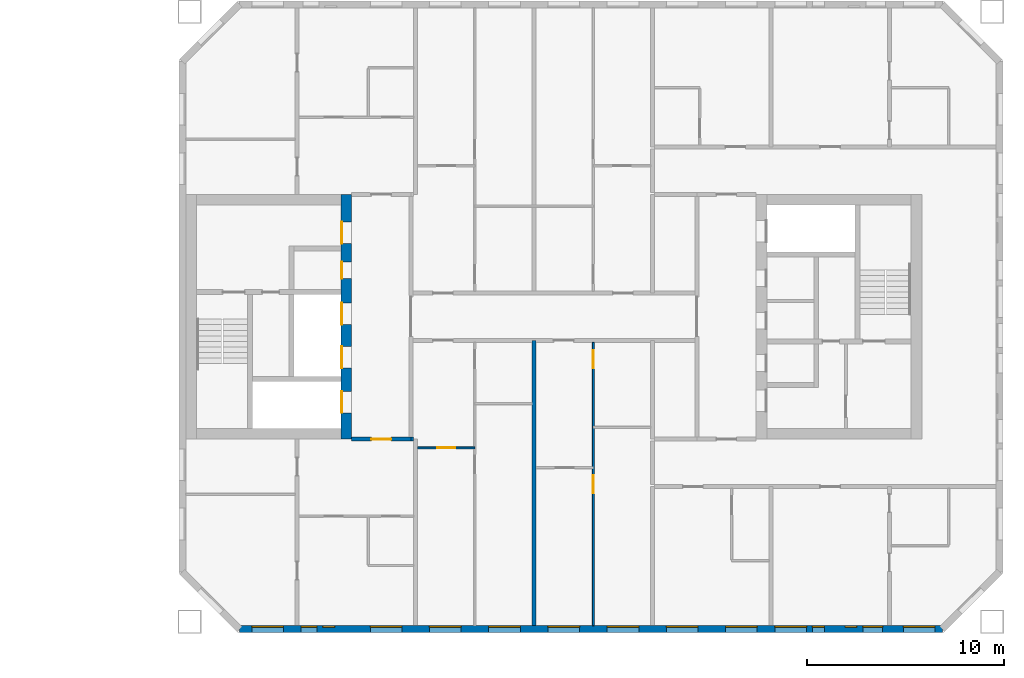
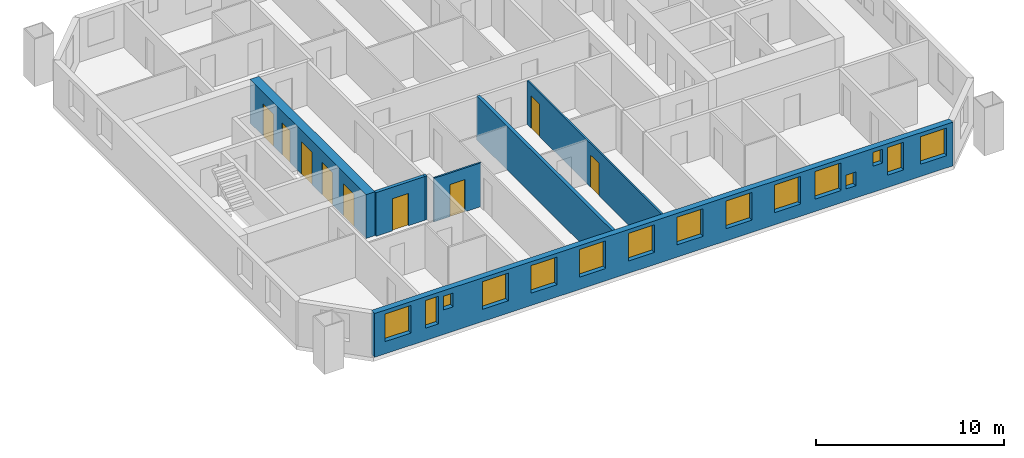
# One storey, part 10 of 17: 15 windows, 9 doors, 7 walls, 24 openings.
"""IFC4 building model written with IfcOpenShell, lengths in metres."""

from ifc_helpers import new_model, si_unit, direction, frame, frame_2d, origin, place, context, subcontext, project, spatial, rectangle, extrude, material, layer, layer_set, type_object, element, fill, save


model = new_model("IFC4")

# Units and contexts
model_context = context("Model", 3, precision=1e-05, world=origin(), true_north=direction((0.0, 1.0)))
body_context = subcontext(model_context, "Body", "Model", "MODEL_VIEW")
ifc_project = project(units=[si_unit("LENGTHUNIT", "METRE"), si_unit("AREAUNIT", "SQUARE_METRE"), si_unit("VOLUMEUNIT", "CUBIC_METRE"), si_unit("PLANEANGLEUNIT", "RADIAN"), si_unit("MASSUNIT", "GRAM", prefix="KILO")], contexts=[model_context])

# Site, building, storey
site_placement = place(None, origin())
site = spatial("IfcSite", under=ifc_project, at=site_placement, CompositionType="ELEMENT")
building_placement = place(site_placement, origin())
building = spatial("IfcBuilding", under=site, at=building_placement, Name="Tuart Gate Housing", CompositionType="ELEMENT")
storey_placement = place(building_placement, frame((0.0, 0.0, 126.800048828125)))
storey = spatial("IfcBuildingStorey", under=building, at=storey_placement, Name="L35", CompositionType="ELEMENT", Elevation=126.800048828125)

# Wall, openings, windows
ifc_material_1 = material(Name="Brick", Category="masonry")
ifc_layer_1 = layer(ifc_material_1, 0.360107421875)
ifc_layer_set_1 = layer_set([ifc_layer_1], Name="Brick pier and spandrel wall 360")
wall_type_1 = type_object("IfcWallType", Name="Brick pier and spandrel wall 360", PredefinedType="STANDARD", material=ifc_layer_set_1)
wall_1_placement = place(storey_placement, frame((134.07470703125, 54.179931640625, 0.0), z_axis=(0.0, 0.0, 1.0), x_axis=(1.0, 0.0, 0.0)))
wall_1 = element("IfcWall", 1, at=wall_1_placement, inside=storey, type_object=wall_type_1, Name="External wall B-S L35", PredefinedType="STANDARD", context=body_context, shape_type="SweptSolid", body=[
    extrude(rectangle(XDim=35.600830078125, YDim=0.360107421875, at=frame_2d((17.80029296875, 0.0))), origin(), (0.0, 0.0, 1.0), 2.849853515625),
])
opening_1_placement = place(wall_1_placement, frame((0.62548828125, 0.0, 0.800048828125)))
opening_1 = element("IfcOpeningElement", 2, at=opening_1_placement, cuts=wall_1, Name="Opening W1", PredefinedType="OPENING", context=body_context, shape_type="SweptSolid", body=[
    extrude(rectangle(XDim=1.60009765625, YDim=1.800048828125, at=frame_2d((0.800048828125, 0.89990234375))), frame((0.0, 0.18994140625, 0.0), z_axis=(0.0, -1.0, 0.0), x_axis=(1.0, 0.0, 0.0)), (0.0, 0.0, 1.0), 0.380126953125),
])
opening_2_placement = place(wall_1_placement, frame((3.12548828125, 0.0, 0.800048828125)))
opening_2 = element("IfcOpeningElement", 3, at=opening_2_placement, cuts=wall_1, Name="Opening W1D", PredefinedType="OPENING", context=body_context, shape_type="SweptSolid", body=[
    extrude(rectangle(XDim=0.800048828125, YDim=1.800048828125, at=frame_2d((0.39990234375, 0.89990234375))), frame((0.0, 0.18994140625, 0.0), z_axis=(0.0, -1.0, 0.0), x_axis=(1.0, 0.0, 0.0)), (0.0, 0.0, 1.0), 0.380126953125),
])
opening_3_placement = place(wall_1_placement, frame((6.62548828125, 0.0, 0.800048828125)))
opening_3 = element("IfcOpeningElement", 4, at=opening_3_placement, cuts=wall_1, Name="Opening W1", PredefinedType="OPENING", context=body_context, shape_type="SweptSolid", body=[
    extrude(rectangle(XDim=1.60009765625, YDim=1.800048828125, at=frame_2d((0.800048828125, 0.89990234375))), frame((0.0, 0.18994140625, 0.0), z_axis=(0.0, -1.0, 0.0), x_axis=(1.0, 0.0, 0.0)), (0.0, 0.0, 1.0), 0.380126953125),
])
opening_4_placement = place(wall_1_placement, frame((9.62548828125, 0.0, 0.800048828125)))
opening_4 = element("IfcOpeningElement", 5, at=opening_4_placement, cuts=wall_1, Name="Opening W1", PredefinedType="OPENING", context=body_context, shape_type="SweptSolid", body=[
    extrude(rectangle(XDim=1.60009765625, YDim=1.800048828125, at=frame_2d((0.800048828125, 0.89990234375))), frame((0.0, 0.18994140625, 0.0), z_axis=(0.0, -1.0, 0.0), x_axis=(1.0, 0.0, 0.0)), (0.0, 0.0, 1.0), 0.380126953125),
])
opening_5_placement = place(wall_1_placement, frame((12.62548828125, 0.0, 0.800048828125)))
opening_5 = element("IfcOpeningElement", 6, at=opening_5_placement, cuts=wall_1, Name="Opening W1", PredefinedType="OPENING", context=body_context, shape_type="SweptSolid", body=[
    extrude(rectangle(XDim=1.60009765625, YDim=1.800048828125, at=frame_2d((0.800048828125, 0.89990234375))), frame((0.0, 0.18994140625, 0.0), z_axis=(0.0, -1.0, 0.0), x_axis=(1.0, 0.0, 0.0)), (0.0, 0.0, 1.0), 0.380126953125),
])
opening_6_placement = place(wall_1_placement, frame((15.62548828125, 0.0, 0.800048828125)))
opening_6 = element("IfcOpeningElement", 7, at=opening_6_placement, cuts=wall_1, Name="Opening W1", PredefinedType="OPENING", context=body_context, shape_type="SweptSolid", body=[
    extrude(rectangle(XDim=1.60009765625, YDim=1.800048828125, at=frame_2d((0.800048828125, 0.89990234375))), frame((0.0, 0.18994140625, 0.0), z_axis=(0.0, -1.0, 0.0), x_axis=(1.0, 0.0, 0.0)), (0.0, 0.0, 1.0), 0.380126953125),
])
opening_7_placement = place(wall_1_placement, frame((18.62548828125, 0.0, 0.800048828125)))
opening_7 = element("IfcOpeningElement", 8, at=opening_7_placement, cuts=wall_1, Name="Opening W1", PredefinedType="OPENING", context=body_context, shape_type="SweptSolid", body=[
    extrude(rectangle(XDim=1.60009765625, YDim=1.800048828125, at=frame_2d((0.800048828125, 0.89990234375))), frame((0.0, 0.18994140625, 0.0), z_axis=(0.0, -1.0, 0.0), x_axis=(1.0, 0.0, 0.0)), (0.0, 0.0, 1.0), 0.380126953125),
])
opening_8_placement = place(wall_1_placement, frame((21.62548828125, 0.0, 0.800048828125)))
opening_8 = element("IfcOpeningElement", 9, at=opening_8_placement, cuts=wall_1, Name="Opening W1", PredefinedType="OPENING", context=body_context, shape_type="SweptSolid", body=[
    extrude(rectangle(XDim=1.60009765625, YDim=1.800048828125, at=frame_2d((0.800048828125, 0.89990234375))), frame((0.0, 0.18994140625, 0.0), z_axis=(0.0, -1.0, 0.0), x_axis=(1.0, 0.0, 0.0)), (0.0, 0.0, 1.0), 0.380126953125),
])
opening_9_placement = place(wall_1_placement, frame((24.62548828125, 0.0, 0.800048828125)))
opening_9 = element("IfcOpeningElement", 10, at=opening_9_placement, cuts=wall_1, Name="Opening W1", PredefinedType="OPENING", context=body_context, shape_type="SweptSolid", body=[
    extrude(rectangle(XDim=1.60009765625, YDim=1.800048828125, at=frame_2d((0.800048828125, 0.89990234375))), frame((0.0, 0.18994140625, 0.0), z_axis=(0.0, -1.0, 0.0), x_axis=(1.0, 0.0, 0.0)), (0.0, 0.0, 1.0), 0.380126953125),
])
opening_10_placement = place(wall_1_placement, frame((27.12548828125, 0.0, 0.800048828125)))
opening_10 = element("IfcOpeningElement", 11, at=opening_10_placement, cuts=wall_1, Name="Opening W1", PredefinedType="OPENING", context=body_context, shape_type="SweptSolid", body=[
    extrude(rectangle(XDim=1.60009765625, YDim=1.800048828125, at=frame_2d((0.800048828125, 0.89990234375))), frame((0.0, 0.18994140625, 0.0), z_axis=(0.0, -1.0, 0.0), x_axis=(1.0, 0.0, 0.0)), (0.0, 0.0, 1.0), 0.380126953125),
])
opening_11_placement = place(wall_1_placement, frame((29.025390625, 0.0, 0.800048828125)))
opening_11 = element("IfcOpeningElement", 12, at=opening_11_placement, cuts=wall_1, Name="Opening W1W", PredefinedType="OPENING", context=body_context, shape_type="SweptSolid", body=[
    extrude(rectangle(XDim=0.60009765625, YDim=0.89990234375, at=frame_2d((0.300048828125, 0.449951171875))), frame((0.0, 0.18994140625, 0.0), z_axis=(0.0, -1.0, 0.0), x_axis=(1.0, 0.0, 0.0)), (0.0, 0.0, 1.0), 0.380126953125),
])
opening_12_placement = place(wall_1_placement, frame((33.62548828125, 0.0, 0.800048828125)))
opening_12 = element("IfcOpeningElement", 13, at=opening_12_placement, cuts=wall_1, Name="Opening W1", PredefinedType="OPENING", context=body_context, shape_type="SweptSolid", body=[
    extrude(rectangle(XDim=1.60009765625, YDim=1.800048828125, at=frame_2d((0.800048828125, 0.89990234375))), frame((0.0, 0.18994140625, 0.0), z_axis=(0.0, -1.0, 0.0), x_axis=(1.0, 0.0, 0.0)), (0.0, 0.0, 1.0), 0.380126953125),
])
opening_13_placement = place(wall_1_placement, frame((4.225341796875, 0.0, 1.60009765625)))
opening_13 = element("IfcOpeningElement", 14, at=opening_13_placement, cuts=wall_1, Name="Opening W1W", PredefinedType="OPENING", context=body_context, shape_type="SweptSolid", body=[
    extrude(rectangle(XDim=0.60009765625, YDim=0.89990234375, at=frame_2d((0.300048828125, 0.449951171875))), frame((0.0, 0.18994140625, 0.0), z_axis=(0.0, -1.0, 0.0), x_axis=(1.0, 0.0, 0.0)), (0.0, 0.0, 1.0), 0.380126953125),
])
opening_14_placement = place(wall_1_placement, frame((30.67529296875, 0.0, 1.699951171875)))
opening_14 = element("IfcOpeningElement", 15, at=opening_14_placement, cuts=wall_1, Name="Opening W1W", PredefinedType="OPENING", context=body_context, shape_type="SweptSolid", body=[
    extrude(rectangle(XDim=0.60009765625, YDim=0.89990234375, at=frame_2d((0.300048828125, 0.449951171875))), frame((0.0, 0.18994140625, 0.0), z_axis=(0.0, -1.0, 0.0), x_axis=(1.0, 0.0, 0.0)), (0.0, 0.0, 1.0), 0.380126953125),
])
opening_15_placement = place(wall_1_placement, frame((31.575439453125, 0.0, 0.800048828125)))
opening_15 = element("IfcOpeningElement", 16, at=opening_15_placement, cuts=wall_1, Name="Opening W1C", PredefinedType="OPENING", context=body_context, shape_type="SweptSolid", body=[
    extrude(rectangle(XDim=1.0, YDim=1.800048828125, at=frame_2d((0.5, 0.89990234375))), frame((0.0, 0.18994140625, 0.0), z_axis=(0.0, -1.0, 0.0), x_axis=(1.0, 0.0, 0.0)), (0.0, 0.0, 1.0), 0.380126953125),
])
ifc_material_2 = material(Name="Aluminium frame with clear glass", Category="aluminium")
window_type_1 = type_object("IfcWindowType", Name="Punched window 1000 x 1800", PartitioningType="SINGLE_PANEL", PredefinedType="WINDOW", material=ifc_material_2)
window_1_placement = place(opening_15_placement, origin())
window_1 = element("IfcWindow", 17, at=window_1_placement, inside=storey, type_object=window_type_1, Name="Window W1C", OverallHeight=1.800048828125, OverallWidth=1.0, PartitioningType="SINGLE_PANEL", PredefinedType="WINDOW", context=body_context, shape_type="SweptSolid", body=[
    extrude(rectangle(XDim=1.0, YDim=1.800048828125, at=frame_2d((0.5, 0.89990234375))), frame((0.0, 0.150146484375, 0.0), z_axis=(0.0, -1.0, 0.0), x_axis=(1.0, 0.0, 0.0)), (0.0, 0.0, 1.0), 0.06005859375),
])
fill(opening_15, window_1)
ifc_material_3 = material(Name="Aluminium frame with clear glass", Category="aluminium")
window_type_2 = type_object("IfcWindowType", Name="Punched window 1600 x 1800", PartitioningType="SINGLE_PANEL", PredefinedType="WINDOW", material=ifc_material_3)
window_2_placement = place(opening_1_placement, origin())
window_2 = element("IfcWindow", 18, at=window_2_placement, inside=storey, type_object=window_type_2, Name="Window W1", OverallHeight=1.800048828125, OverallWidth=1.60009765625, PartitioningType="SINGLE_PANEL", PredefinedType="WINDOW", context=body_context, shape_type="SweptSolid", body=[
    extrude(rectangle(XDim=1.60009765625, YDim=1.800048828125, at=frame_2d((0.800048828125, 0.89990234375))), frame((0.0, 0.150146484375, 0.0), z_axis=(0.0, -1.0, 0.0), x_axis=(1.0, 0.0, 0.0)), (0.0, 0.0, 1.0), 0.06005859375),
])
fill(opening_1, window_2)
window_3_placement = place(opening_3_placement, origin())
window_3 = element("IfcWindow", 19, at=window_3_placement, inside=storey, type_object=window_type_2, Name="Window W1", OverallHeight=1.800048828125, OverallWidth=1.60009765625, PartitioningType="SINGLE_PANEL", PredefinedType="WINDOW", context=body_context, shape_type="SweptSolid", body=[
    extrude(rectangle(XDim=1.60009765625, YDim=1.800048828125, at=frame_2d((0.800048828125, 0.89990234375))), frame((0.0, 0.150146484375, 0.0), z_axis=(0.0, -1.0, 0.0), x_axis=(1.0, 0.0, 0.0)), (0.0, 0.0, 1.0), 0.06005859375),
])
fill(opening_3, window_3)
window_4_placement = place(opening_4_placement, origin())
window_4 = element("IfcWindow", 20, at=window_4_placement, inside=storey, type_object=window_type_2, Name="Window W1", OverallHeight=1.800048828125, OverallWidth=1.60009765625, PartitioningType="SINGLE_PANEL", PredefinedType="WINDOW", context=body_context, shape_type="SweptSolid", body=[
    extrude(rectangle(XDim=1.60009765625, YDim=1.800048828125, at=frame_2d((0.800048828125, 0.89990234375))), frame((0.0, 0.150146484375, 0.0), z_axis=(0.0, -1.0, 0.0), x_axis=(1.0, 0.0, 0.0)), (0.0, 0.0, 1.0), 0.06005859375),
])
fill(opening_4, window_4)
window_5_placement = place(opening_5_placement, origin())
window_5 = element("IfcWindow", 21, at=window_5_placement, inside=storey, type_object=window_type_2, Name="Window W1", OverallHeight=1.800048828125, OverallWidth=1.60009765625, PartitioningType="SINGLE_PANEL", PredefinedType="WINDOW", context=body_context, shape_type="SweptSolid", body=[
    extrude(rectangle(XDim=1.60009765625, YDim=1.800048828125, at=frame_2d((0.800048828125, 0.89990234375))), frame((0.0, 0.150146484375, 0.0), z_axis=(0.0, -1.0, 0.0), x_axis=(1.0, 0.0, 0.0)), (0.0, 0.0, 1.0), 0.06005859375),
])
fill(opening_5, window_5)
window_6_placement = place(opening_6_placement, origin())
window_6 = element("IfcWindow", 22, at=window_6_placement, inside=storey, type_object=window_type_2, Name="Window W1", OverallHeight=1.800048828125, OverallWidth=1.60009765625, PartitioningType="SINGLE_PANEL", PredefinedType="WINDOW", context=body_context, shape_type="SweptSolid", body=[
    extrude(rectangle(XDim=1.60009765625, YDim=1.800048828125, at=frame_2d((0.800048828125, 0.89990234375))), frame((0.0, 0.150146484375, 0.0), z_axis=(0.0, -1.0, 0.0), x_axis=(1.0, 0.0, 0.0)), (0.0, 0.0, 1.0), 0.06005859375),
])
fill(opening_6, window_6)
window_7_placement = place(opening_7_placement, origin())
window_7 = element("IfcWindow", 23, at=window_7_placement, inside=storey, type_object=window_type_2, Name="Window W1", OverallHeight=1.800048828125, OverallWidth=1.60009765625, PartitioningType="SINGLE_PANEL", PredefinedType="WINDOW", context=body_context, shape_type="SweptSolid", body=[
    extrude(rectangle(XDim=1.60009765625, YDim=1.800048828125, at=frame_2d((0.800048828125, 0.89990234375))), frame((0.0, 0.150146484375, 0.0), z_axis=(0.0, -1.0, 0.0), x_axis=(1.0, 0.0, 0.0)), (0.0, 0.0, 1.0), 0.06005859375),
])
fill(opening_7, window_7)
window_8_placement = place(opening_8_placement, origin())
window_8 = element("IfcWindow", 24, at=window_8_placement, inside=storey, type_object=window_type_2, Name="Window W1", OverallHeight=1.800048828125, OverallWidth=1.60009765625, PartitioningType="SINGLE_PANEL", PredefinedType="WINDOW", context=body_context, shape_type="SweptSolid", body=[
    extrude(rectangle(XDim=1.60009765625, YDim=1.800048828125, at=frame_2d((0.800048828125, 0.89990234375))), frame((0.0, 0.150146484375, 0.0), z_axis=(0.0, -1.0, 0.0), x_axis=(1.0, 0.0, 0.0)), (0.0, 0.0, 1.0), 0.06005859375),
])
fill(opening_8, window_8)
window_9_placement = place(opening_9_placement, origin())
window_9 = element("IfcWindow", 25, at=window_9_placement, inside=storey, type_object=window_type_2, Name="Window W1", OverallHeight=1.800048828125, OverallWidth=1.60009765625, PartitioningType="SINGLE_PANEL", PredefinedType="WINDOW", context=body_context, shape_type="SweptSolid", body=[
    extrude(rectangle(XDim=1.60009765625, YDim=1.800048828125, at=frame_2d((0.800048828125, 0.89990234375))), frame((0.0, 0.150146484375, 0.0), z_axis=(0.0, -1.0, 0.0), x_axis=(1.0, 0.0, 0.0)), (0.0, 0.0, 1.0), 0.06005859375),
])
fill(opening_9, window_9)
window_10_placement = place(opening_10_placement, origin())
window_10 = element("IfcWindow", 26, at=window_10_placement, inside=storey, type_object=window_type_2, Name="Window W1", OverallHeight=1.800048828125, OverallWidth=1.60009765625, PartitioningType="SINGLE_PANEL", PredefinedType="WINDOW", context=body_context, shape_type="SweptSolid", body=[
    extrude(rectangle(XDim=1.60009765625, YDim=1.800048828125, at=frame_2d((0.800048828125, 0.89990234375))), frame((0.0, 0.150146484375, 0.0), z_axis=(0.0, -1.0, 0.0), x_axis=(1.0, 0.0, 0.0)), (0.0, 0.0, 1.0), 0.06005859375),
])
fill(opening_10, window_10)
window_11_placement = place(opening_12_placement, origin())
window_11 = element("IfcWindow", 27, at=window_11_placement, inside=storey, type_object=window_type_2, Name="Window W1", OverallHeight=1.800048828125, OverallWidth=1.60009765625, PartitioningType="SINGLE_PANEL", PredefinedType="WINDOW", context=body_context, shape_type="SweptSolid", body=[
    extrude(rectangle(XDim=1.60009765625, YDim=1.800048828125, at=frame_2d((0.800048828125, 0.89990234375))), frame((0.0, 0.150146484375, 0.0), z_axis=(0.0, -1.0, 0.0), x_axis=(1.0, 0.0, 0.0)), (0.0, 0.0, 1.0), 0.06005859375),
])
fill(opening_12, window_11)
ifc_material_4 = material(Name="Aluminium frame with clear glass", Category="aluminium")
window_type_3 = type_object("IfcWindowType", Name="Punched window 600 x 900", PartitioningType="SINGLE_PANEL", PredefinedType="WINDOW", material=ifc_material_4)
window_12_placement = place(opening_11_placement, origin())
window_12 = element("IfcWindow", 28, at=window_12_placement, inside=storey, type_object=window_type_3, Name="Window W1W", OverallHeight=0.89990234375, OverallWidth=0.60009765625, PartitioningType="SINGLE_PANEL", PredefinedType="WINDOW", context=body_context, shape_type="SweptSolid", body=[
    extrude(rectangle(XDim=0.60009765625, YDim=0.89990234375, at=frame_2d((0.300048828125, 0.449951171875))), frame((0.0, 0.150146484375, 0.0), z_axis=(0.0, -1.0, 0.0), x_axis=(1.0, 0.0, 0.0)), (0.0, 0.0, 1.0), 0.06005859375),
])
fill(opening_11, window_12)
window_13_placement = place(opening_13_placement, origin())
window_13 = element("IfcWindow", 29, at=window_13_placement, inside=storey, type_object=window_type_3, Name="Window W1W", OverallHeight=0.89990234375, OverallWidth=0.60009765625, PartitioningType="SINGLE_PANEL", PredefinedType="WINDOW", context=body_context, shape_type="SweptSolid", body=[
    extrude(rectangle(XDim=0.60009765625, YDim=0.89990234375, at=frame_2d((0.300048828125, 0.449951171875))), frame((0.0, 0.150146484375, 0.0), z_axis=(0.0, -1.0, 0.0), x_axis=(1.0, 0.0, 0.0)), (0.0, 0.0, 1.0), 0.06005859375),
])
fill(opening_13, window_13)
window_14_placement = place(opening_14_placement, origin())
window_14 = element("IfcWindow", 30, at=window_14_placement, inside=storey, type_object=window_type_3, Name="Window W1W", OverallHeight=0.89990234375, OverallWidth=0.60009765625, PartitioningType="SINGLE_PANEL", PredefinedType="WINDOW", context=body_context, shape_type="SweptSolid", body=[
    extrude(rectangle(XDim=0.60009765625, YDim=0.89990234375, at=frame_2d((0.300048828125, 0.449951171875))), frame((0.0, 0.150146484375, 0.0), z_axis=(0.0, -1.0, 0.0), x_axis=(1.0, 0.0, 0.0)), (0.0, 0.0, 1.0), 0.06005859375),
])
fill(opening_14, window_14)
ifc_material_5 = material(Name="Aluminium frame with clear glass", Category="aluminium")
window_type_4 = type_object("IfcWindowType", Name="Punched window 800 x 1800", PartitioningType="SINGLE_PANEL", PredefinedType="WINDOW", material=ifc_material_5)
window_15_placement = place(opening_2_placement, origin())
window_15 = element("IfcWindow", 31, at=window_15_placement, inside=storey, type_object=window_type_4, Name="Window W1D", OverallHeight=1.800048828125, OverallWidth=0.800048828125, PartitioningType="SINGLE_PANEL", PredefinedType="WINDOW", context=body_context, shape_type="SweptSolid", body=[
    extrude(rectangle(XDim=0.800048828125, YDim=1.800048828125, at=frame_2d((0.39990234375, 0.89990234375))), frame((0.0, 0.150146484375, 0.0), z_axis=(0.0, -1.0, 0.0), x_axis=(1.0, 0.0, 0.0)), (0.0, 0.0, 1.0), 0.06005859375),
])
fill(opening_2, window_15)

# Wall, openings, doors
ifc_material_6 = material(Name="Concrete C50", Category="concrete")
ifc_layer_2 = layer(ifc_material_6, 0.550048828125)
ifc_layer_set_2 = layer_set([ifc_layer_2], Name="Core wall 550 C50")
wall_type_2 = type_object("IfcWallType", Name="Core wall 550 C50", PredefinedType="SHEAR", material=ifc_layer_set_2)
wall_2_placement = place(storey_placement, frame((139.485107421875, 63.800048828125, 0.0), z_axis=(0.0, 0.0, 1.0), x_axis=(0.0, 1.0, 0.0)))
wall_2 = element("IfcWall", 32, at=wall_2_placement, inside=storey, type_object=wall_type_2, Name="Core wall BG front", PredefinedType="SHEAR", context=body_context, shape_type="SweptSolid", body=[
    extrude(rectangle(XDim=12.39990234375, YDim=0.550048828125, at=frame_2d((6.199951171875, 0.0))), origin(), (0.0, 0.0, 1.0), 2.849853515625),
])
opening_16_placement = place(wall_2_placement, frame((1.324951171875, 0.0, 0.0)))
opening_16 = element("IfcOpeningElement", 33, at=opening_16_placement, cuts=wall_2, Name="Opening LD-FB1", PredefinedType="OPENING", context=body_context, shape_type="SweptSolid", body=[
    extrude(rectangle(XDim=1.10009765625, YDim=2.10009765625, at=frame_2d((0.550048828125, 1.050048828125))), frame((0.0, 0.284912109375, 0.0), z_axis=(0.0, -1.0, 0.0), x_axis=(1.0, 0.0, 0.0)), (0.0, 0.0, 1.0), 0.570068359375),
])
opening_17_placement = place(wall_2_placement, frame((3.60009765625, 0.0, 0.0)))
opening_17 = element("IfcOpeningElement", 34, at=opening_17_placement, cuts=wall_2, Name="Opening LD-LB1", PredefinedType="OPENING", context=body_context, shape_type="SweptSolid", body=[
    extrude(rectangle(XDim=1.10009765625, YDim=2.10009765625, at=frame_2d((0.550048828125, 1.050048828125))), frame((0.0, 0.284912109375, 0.0), z_axis=(0.0, -1.0, 0.0), x_axis=(1.0, 0.0, 0.0)), (0.0, 0.0, 1.0), 0.570068359375),
])
opening_18_placement = place(wall_2_placement, frame((5.800048828125, 0.0, 0.0)))
opening_18 = element("IfcOpeningElement", 35, at=opening_18_placement, cuts=wall_2, Name="Opening LD-LB2", PredefinedType="OPENING", context=body_context, shape_type="SweptSolid", body=[
    extrude(rectangle(XDim=1.10009765625, YDim=2.10009765625, at=frame_2d((0.550048828125, 1.050048828125))), frame((0.0, 0.284912109375, 0.0), z_axis=(0.0, -1.0, 0.0), x_axis=(1.0, 0.0, 0.0)), (0.0, 0.0, 1.0), 0.570068359375),
])
opening_19_placement = place(wall_2_placement, frame((9.89990234375, 0.0, 0.0)))
opening_19 = element("IfcOpeningElement", 36, at=opening_19_placement, cuts=wall_2, Name="Opening D1372", PredefinedType="OPENING", context=body_context, shape_type="SweptSolid", body=[
    extrude(rectangle(XDim=1.10009765625, YDim=2.10009765625, at=frame_2d((0.550048828125, 1.050048828125))), frame((0.0, 0.284912109375, 0.0), z_axis=(0.0, -1.0, 0.0), x_axis=(1.0, 0.0, 0.0)), (0.0, 0.0, 1.0), 0.570068359375),
])
opening_20_placement = place(wall_2_placement, frame((8.125, 0.0, 0.0)))
opening_20 = element("IfcOpeningElement", 37, at=opening_20_placement, cuts=wall_2, Name="Opening D1373", PredefinedType="OPENING", context=body_context, shape_type="SweptSolid", body=[
    extrude(rectangle(XDim=0.85009765625, YDim=2.10009765625, at=frame_2d((0.425048828125, 1.050048828125))), frame((0.0, 0.284912109375, 0.0), z_axis=(0.0, -1.0, 0.0), x_axis=(1.0, 0.0, 0.0)), (0.0, 0.0, 1.0), 0.570068359375),
])
ifc_material_7 = material(Name="Stainless steel", Category="steel")
door_type_1 = type_object("IfcDoorType", Name="Landing door 1100 x 2100", OperationType="DOUBLE_DOOR_SLIDING", PredefinedType="DOOR", material=ifc_material_7)
door_1_placement = place(opening_16_placement, origin())
door_1 = element("IfcDoor", 38, at=door_1_placement, inside=storey, type_object=door_type_1, Name="Lift landing door FB1", OperationType="DOUBLE_DOOR_SLIDING", OverallHeight=2.10009765625, OverallWidth=1.10009765625, PredefinedType="DOOR", context=body_context, shape_type="SweptSolid", body=[
    extrude(rectangle(XDim=1.10009765625, YDim=2.10009765625, at=frame_2d((0.550048828125, 1.050048828125))), frame((0.0, 0.26025390625, 0.0), z_axis=(0.0, -1.0, 0.0), x_axis=(1.0, 0.0, 0.0)), (0.0, 0.0, 1.0), 0.050048828125),
])
fill(opening_16, door_1)
door_2_placement = place(opening_17_placement, origin())
door_2 = element("IfcDoor", 39, at=door_2_placement, inside=storey, type_object=door_type_1, Name="Lift landing door LB1", OperationType="DOUBLE_DOOR_SLIDING", OverallHeight=2.10009765625, OverallWidth=1.10009765625, PredefinedType="DOOR", context=body_context, shape_type="SweptSolid", body=[
    extrude(rectangle(XDim=1.10009765625, YDim=2.10009765625, at=frame_2d((0.550048828125, 1.050048828125))), frame((0.0, 0.26025390625, 0.0), z_axis=(0.0, -1.0, 0.0), x_axis=(1.0, 0.0, 0.0)), (0.0, 0.0, 1.0), 0.050048828125),
])
fill(opening_17, door_2)
door_3_placement = place(opening_18_placement, origin())
door_3 = element("IfcDoor", 40, at=door_3_placement, inside=storey, type_object=door_type_1, Name="Lift landing door LB2", OperationType="DOUBLE_DOOR_SLIDING", OverallHeight=2.10009765625, OverallWidth=1.10009765625, PredefinedType="DOOR", context=body_context, shape_type="SweptSolid", body=[
    extrude(rectangle(XDim=1.10009765625, YDim=2.10009765625, at=frame_2d((0.550048828125, 1.050048828125))), frame((0.0, 0.26025390625, 0.0), z_axis=(0.0, -1.0, 0.0), x_axis=(1.0, 0.0, 0.0)), (0.0, 0.0, 1.0), 0.050048828125),
])
fill(opening_18, door_3)
ifc_material_8 = material(Name="Steel fire door", Category="steel")
door_type_2 = type_object("IfcDoorType", Name="Lobby door 1100 x 2100", OperationType="SINGLE_SWING_LEFT", PredefinedType="DOOR", material=ifc_material_8)
door_4_placement = place(opening_19_placement, origin())
door_4 = element("IfcDoor", 41, at=door_4_placement, inside=storey, type_object=door_type_2, Name="Lobby entry door BG.EN", OperationType="SINGLE_SWING_LEFT", OverallHeight=2.10009765625, OverallWidth=1.10009765625, PredefinedType="DOOR", context=body_context, shape_type="SweptSolid", body=[
    extrude(rectangle(XDim=1.10009765625, YDim=2.10009765625, at=frame_2d((0.550048828125, 1.050048828125))), frame((0.0, 0.26025390625, 0.0), z_axis=(0.0, -1.0, 0.0), x_axis=(1.0, 0.0, 0.0)), (0.0, 0.0, 1.0), 0.050048828125),
])
fill(opening_19, door_4)
ifc_material_9 = material(Name="Steel fire door", Category="steel")
door_type_3 = type_object("IfcDoorType", Name="Service door 850 x 2100", OperationType="SINGLE_SWING_LEFT", PredefinedType="DOOR", material=ifc_material_9)
door_5_placement = place(opening_20_placement, origin())
door_5 = element("IfcDoor", 42, at=door_5_placement, inside=storey, type_object=door_type_3, Name="Service room door BG.T1", OperationType="SINGLE_SWING_LEFT", OverallHeight=2.10009765625, OverallWidth=0.85009765625, PredefinedType="DOOR", context=body_context, shape_type="SweptSolid", body=[
    extrude(rectangle(XDim=0.85009765625, YDim=2.10009765625, at=frame_2d((0.425048828125, 1.050048828125))), frame((0.0, 0.26025390625, 0.0), z_axis=(0.0, -1.0, 0.0), x_axis=(1.0, 0.0, 0.0)), (0.0, 0.0, 1.0), 0.050048828125),
])
fill(opening_20, door_5)

# Wall, opening, door
ifc_material_10 = material(Name="Concrete masonry 15 MPa", Category="masonry")
ifc_layer_3 = layer(ifc_material_10, 0.199951171875)
ifc_layer_set_3 = layer_set([ifc_layer_3], Name="Enclosure wall masonry 200")
wall_type_3 = type_object("IfcWallType", Name="Enclosure wall masonry 200", PredefinedType="PARTITIONING", material=ifc_layer_set_3)
wall_3_placement = place(storey_placement, frame((139.760009765625, 63.800048828125, 0.0), z_axis=(0.0, 0.0, 1.0), x_axis=(1.0, 0.0, 0.0)))
wall_3 = element("IfcWall", 43, at=wall_3_placement, inside=storey, type_object=wall_type_3, Name="Enclosure wall masonry 200", PredefinedType="PARTITIONING", context=body_context, shape_type="SweptSolid", body=[
    extrude(rectangle(XDim=3.0, YDim=0.199951171875, at=frame_2d((1.5, 0.0))), origin(), (0.0, 0.0, 1.0), 2.849853515625),
])
opening_21_placement = place(wall_3_placement, frame((1.0, 0.0, 0.0)))
opening_21 = element("IfcOpeningElement", 44, at=opening_21_placement, cuts=wall_3, Name="Opening D1385", PredefinedType="OPENING", context=body_context, shape_type="SweptSolid", body=[
    extrude(rectangle(XDim=1.0, YDim=2.10009765625, at=frame_2d((0.5, 1.050048828125))), frame((0.0, 0.10986328125, 0.0), z_axis=(0.0, -1.0, 0.0), x_axis=(1.0, 0.0, 0.0)), (0.0, 0.0, 1.0), 0.219970703125),
])
ifc_material_11 = material(Name="Timber door leaf in steel frame", Category="steel")
door_type_4 = type_object("IfcDoorType", Name="Flat entrance door 1000", OperationType="SINGLE_SWING_LEFT", PredefinedType="DOOR", material=ifc_material_11)
door_6_placement = place(opening_21_placement, frame((1.0, 0.0, 0.0), z_axis=(0.0, 0.0, 1.0), x_axis=(-1.0, 0.0, 0.0)))
door_6 = element("IfcDoor", 45, at=door_6_placement, inside=storey, type_object=door_type_4, Name="Flat entrance door", OperationType="SINGLE_SWING_LEFT", OverallHeight=2.10009765625, OverallWidth=1.0, PredefinedType="DOOR", context=body_context, shape_type="SweptSolid", body=[
    extrude(rectangle(XDim=1.0, YDim=2.10009765625, at=frame_2d((0.5, 1.050048828125))), frame((0.0, 0.025146484375, 0.0), z_axis=(0.0, -1.0, 0.0), x_axis=(1.0, 0.0, 0.0)), (0.0, 0.0, 1.0), 0.050048828125),
])
fill(opening_21, door_6)

ifc_material_12 = material(Name="Gypsum board on steel studs", Category="steel")
ifc_layer_4 = layer(ifc_material_12, 0.10009765625)
ifc_layer_set_4 = layer_set([ifc_layer_4], Name="Partition 100")
wall_type_4 = type_object("IfcWallType", Name="Partition 100", PredefinedType="PARTITIONING", material=ifc_layer_set_4)
wall_4_placement = place(storey_placement, frame((143.10009765625, 63.360107421875, 0.0), z_axis=(0.0, 0.0, 1.0), x_axis=(1.0, 0.0, 0.0)))
wall_4 = element("IfcWall", 46, at=wall_4_placement, inside=storey, type_object=wall_type_4, Name="Partition 100", PredefinedType="PARTITIONING", context=body_context, shape_type="SweptSolid", body=[
    extrude(rectangle(XDim=2.89990234375, YDim=0.10009765625, at=frame_2d((1.449951171875, 0.0))), origin(), (0.0, 0.0, 1.0), 2.849853515625),
])
opening_22_placement = place(wall_4_placement, frame((1.0, 0.0, 0.0)))
opening_22 = element("IfcOpeningElement", 47, at=opening_22_placement, cuts=wall_4, Name="Opening D1387", PredefinedType="OPENING", context=body_context, shape_type="SweptSolid", body=[
    extrude(rectangle(XDim=0.89990234375, YDim=2.10009765625, at=frame_2d((0.449951171875, 1.050048828125))), frame((0.0, 0.06005859375, 0.0), z_axis=(0.0, -1.0, 0.0), x_axis=(1.0, 0.0, 0.0)), (0.0, 0.0, 1.0), 0.1201171875),
])
ifc_material_13 = material(Name="Timber door leaf in steel frame", Category="steel")
door_type_5 = type_object("IfcDoorType", Name="Internal door 900 RH", OperationType="SINGLE_SWING_RIGHT", PredefinedType="DOOR", material=ifc_material_13)
door_7_placement = place(opening_22_placement, origin())
door_7 = element("IfcDoor", 48, at=door_7_placement, inside=storey, type_object=door_type_5, Name="Internal door", OperationType="SINGLE_SWING_RIGHT", OverallHeight=2.10009765625, OverallWidth=0.89990234375, PredefinedType="DOOR", context=body_context, shape_type="SweptSolid", body=[
    extrude(rectangle(XDim=0.89990234375, YDim=2.10009765625, at=frame_2d((0.449951171875, 1.050048828125))), frame((0.0, 0.02490234375, 0.0), z_axis=(0.0, -1.0, 0.0), x_axis=(1.0, 0.0, 0.0)), (0.0, 0.0, 1.0), 0.050048828125),
])
fill(opening_22, door_7)

# Wall, openings, doors
wall_5_placement = place(storey_placement, frame((152.0, 54.360107421875, 0.0), z_axis=(0.0, 0.0, 1.0), x_axis=(0.0, 1.0, 0.0)))
wall_5 = element("IfcWall", 49, at=wall_5_placement, inside=storey, type_object=wall_type_4, Name="Partition 100", PredefinedType="PARTITIONING", context=body_context, shape_type="SweptSolid", body=[
    extrude(rectangle(XDim=14.33984375, YDim=0.10009765625, at=frame_2d((7.169921875, 0.0))), origin(), (0.0, 0.0, 1.0), 2.849853515625),
])
opening_23_placement = place(wall_5_placement, frame((6.699951171875, 0.0, 0.0)))
opening_23 = element("IfcOpeningElement", 50, at=opening_23_placement, cuts=wall_5, Name="Opening D1392", PredefinedType="OPENING", context=body_context, shape_type="SweptSolid", body=[
    extrude(rectangle(XDim=0.89990234375, YDim=2.10009765625, at=frame_2d((0.449951171875, 1.050048828125))), frame((0.0, 0.06005859375, 0.0), z_axis=(0.0, -1.0, 0.0), x_axis=(1.0, 0.0, 0.0)), (0.0, 0.0, 1.0), 0.1201171875),
])
opening_24_placement = place(wall_5_placement, frame((13.0400390625, 0.0, 0.0)))
opening_24 = element("IfcOpeningElement", 51, at=opening_24_placement, cuts=wall_5, Name="Opening D1391", PredefinedType="OPENING", context=body_context, shape_type="SweptSolid", body=[
    extrude(rectangle(XDim=0.89990234375, YDim=2.10009765625, at=frame_2d((0.449951171875, 1.050048828125))), frame((0.0, 0.06005859375, 0.0), z_axis=(0.0, -1.0, 0.0), x_axis=(1.0, 0.0, 0.0)), (0.0, 0.0, 1.0), 0.1201171875),
])
ifc_material_14 = material(Name="Timber door leaf in steel frame", Category="steel")
door_type_6 = type_object("IfcDoorType", Name="Bathroom door 900", OperationType="SINGLE_SWING_LEFT", PredefinedType="DOOR", material=ifc_material_14)
door_8_placement = place(opening_24_placement, frame((0.89990234375, 0.0, 0.0), z_axis=(0.0, 0.0, 1.0), x_axis=(-1.0, 0.0, 0.0)))
door_8 = element("IfcDoor", 52, at=door_8_placement, inside=storey, type_object=door_type_6, Name="Bathroom door", OperationType="SINGLE_SWING_LEFT", OverallHeight=2.10009765625, OverallWidth=0.89990234375, PredefinedType="DOOR", context=body_context, shape_type="SweptSolid", body=[
    extrude(rectangle(XDim=0.89990234375, YDim=2.10009765625, at=frame_2d((0.449951171875, 1.050048828125))), frame((0.0, 0.025146484375, 0.0), z_axis=(0.0, -1.0, 0.0), x_axis=(1.0, 0.0, 0.0)), (0.0, 0.0, 1.0), 0.050048828125),
])
fill(opening_24, door_8)
ifc_material_15 = material(Name="Timber door leaf in steel frame", Category="steel")
door_type_7 = type_object("IfcDoorType", Name="Internal door 900", OperationType="SINGLE_SWING_LEFT", PredefinedType="DOOR", material=ifc_material_15)
door_9_placement = place(opening_23_placement, frame((0.89990234375, 0.0, 0.0), z_axis=(0.0, 0.0, 1.0), x_axis=(-1.0, 0.0, 0.0)))
door_9 = element("IfcDoor", 53, at=door_9_placement, inside=storey, type_object=door_type_7, Name="Internal door", OperationType="SINGLE_SWING_LEFT", OverallHeight=2.10009765625, OverallWidth=0.89990234375, PredefinedType="DOOR", context=body_context, shape_type="SweptSolid", body=[
    extrude(rectangle(XDim=0.89990234375, YDim=2.10009765625, at=frame_2d((0.449951171875, 1.050048828125))), frame((0.0, 0.025146484375, 0.0), z_axis=(0.0, -1.0, 0.0), x_axis=(1.0, 0.0, 0.0)), (0.0, 0.0, 1.0), 0.050048828125),
])
fill(opening_23, door_9)

# Walls
ifc_material_16 = material(Name="Concrete C40", Category="concrete")
ifc_layer_5 = layer(ifc_material_16, 0.199951171875)
ifc_layer_set_5 = layer_set([ifc_layer_5], Name="Party wall concrete C40 200")
wall_type_5 = type_object("IfcWallType", Name="Party wall concrete C40 200", PredefinedType="SOLIDWALL", material=ifc_layer_set_5)
wall_6_placement = place(storey_placement, frame((149.0, 54.360107421875, 0.0), z_axis=(0.0, 0.0, 1.0), x_axis=(0.0, 1.0, 0.0)))
element("IfcWall", 54, at=wall_6_placement, inside=storey, type_object=wall_type_5, Name="Party wall concrete C40 200", PredefinedType="SOLIDWALL", context=body_context, shape_type="SweptSolid", body=[
    extrude(rectangle(XDim=14.43994140625, YDim=0.199951171875, at=frame_2d((7.219970703125, 0.0))), origin(), (0.0, 0.0, 1.0), 2.849853515625),
])
ifc_material_17 = material(Name="Concrete masonry 15 MPa", Category="masonry")
ifc_layer_6 = layer(ifc_material_17, 0.199951171875)
ifc_layer_set_6 = layer_set([ifc_layer_6], Name="Party wall masonry 200")
wall_type_6 = type_object("IfcWallType", Name="Party wall masonry 200", PredefinedType="PARTITIONING", material=ifc_layer_set_6)
wall_7_placement = place(storey_placement, frame((142.760009765625, 63.800048828125, 0.0), z_axis=(0.0, 0.0, 1.0), x_axis=(1.0, 0.0, 0.0)))
element("IfcWall", 55, at=wall_7_placement, inside=storey, type_object=wall_type_6, Name="Party wall masonry 200", PredefinedType="PARTITIONING", context=body_context, shape_type="SweptSolid", body=[
    extrude(rectangle(XDim=0.139892578125, YDim=0.199951171875, at=frame_2d((0.06982421875, 0.0))), origin(), (0.0, 0.0, 1.0), 2.849853515625),
])

save(model, "model.ifc")
